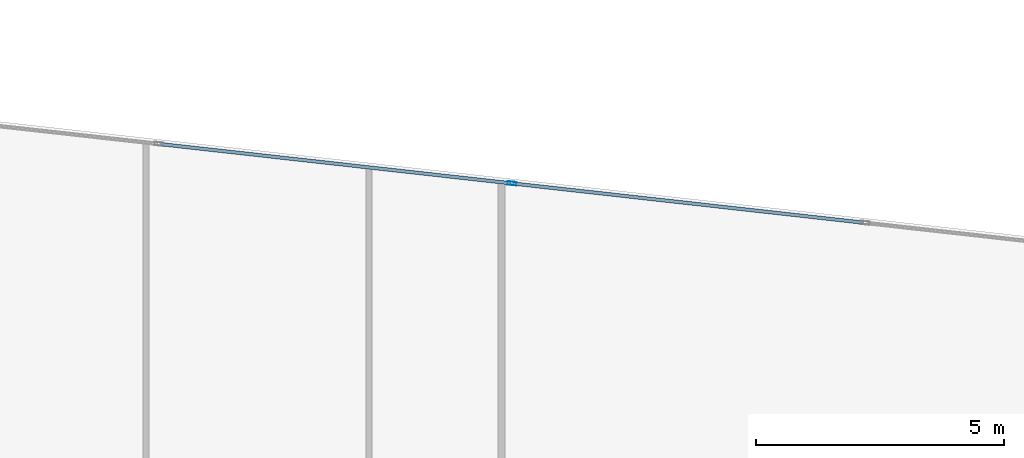
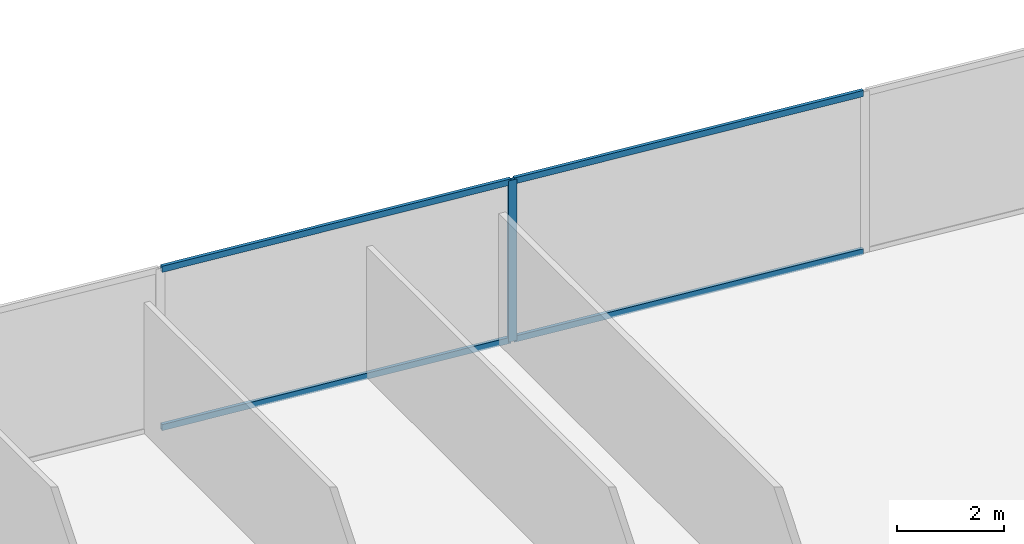
# One storey, part 22 of 29: 5 members, 1 element without a shape of its own.
"""IFC4 building model written with IfcOpenShell, lengths in metres."""

from ifc_helpers import new_model, si_unit, direction, frame, origin, origin_2d, place, context, subcontext, project, spatial, hollow_rectangle, extrude, source, transform, mapped, material, material_profile, profile_set, type_object, type_shapes, element, aggregate, save


model = new_model("IFC4")

# Units and contexts
model_context = context("Model", 3, precision=1e-05, world=origin(), true_north=direction((0.0, 1.0)))
body_context = subcontext(model_context, "Body", "Model", "MODEL_VIEW")
ifc_project = project(units=[si_unit("LENGTHUNIT", "METRE"), si_unit("AREAUNIT", "SQUARE_METRE"), si_unit("VOLUMEUNIT", "CUBIC_METRE"), si_unit("PLANEANGLEUNIT", "RADIAN"), si_unit("MASSUNIT", "GRAM", prefix="KILO")], contexts=[model_context])

# Site, building, storey
site_placement = place(None, origin())
site = spatial("IfcSite", under=ifc_project, at=site_placement, CompositionType="ELEMENT")
building_placement = place(site_placement, origin())
building = spatial("IfcBuilding", under=site, at=building_placement, Name="Krantzveldt Concourse Tower", CompositionType="ELEMENT")
storey_placement = place(building_placement, frame((0.0, 0.0, 60.550048828125)))
storey = spatial("IfcBuildingStorey", under=building, at=storey_placement, Name="L14", CompositionType="ELEMENT", Elevation=60.550048828125)

# Curtain wall, members
ifc_material = material(Name="Anodised aluminium 6063-T6", Category="aluminium")
curtain_wall_type = type_object("IfcCurtainWallType", Name="CW2", PredefinedType="USERDEFINED", material=ifc_material)
curtain_wall_placement = place(storey_placement, origin())
curtain_wall = element("IfcCurtainWall", 1, at=curtain_wall_placement, inside=storey, type_object=curtain_wall_type, Name="CW-L14-F10", ObjectType="UNITISED CURTAIN WALL", PredefinedType="USERDEFINED")
ifc_material_profile_1 = material_profile(ifc_material, hollow_rectangle(XDim=0.070068359375, YDim=0.179931640625, WallThickness=0.0048828125, at=origin_2d()), Name="Anodised aluminium 6063-T6", Category="aluminium")
ifc_profile_set_1 = profile_set([ifc_material_profile_1], Name="Anodised aluminium 6063-T6 - ALU-MULL 180x70x5")
member_type_1 = type_object("IfcMemberType", Name="CW-MUL-180", PredefinedType="MULLION", material=ifc_profile_set_1)
shared_shape_1 = source(origin(), body_context, "Body", "SweptSolid", [
    extrude(hollow_rectangle(XDim=0.070068359375, YDim=0.179931640625, WallThickness=0.0048828125, at=origin_2d()), origin(), (0.0, 0.0, 1.0), 3.669921875),
])
type_shapes(member_type_1, [shared_shape_1])
member_1_placement = place(storey_placement, frame((45.88818359375, 50.66015625, 0.0), z_axis=(0.0, 0.0, 1.0), x_axis=(-0.111035342863, -0.993816458223, 0.0)))
member_1 = element("IfcMember", 2, at=member_1_placement, type_object=member_type_1, Name="CW-Z12 mullion 3", PredefinedType="MULLION", context=body_context, shape_type="MappedRepresentation", body=[
    mapped(shared_shape_1, transform((0.0, 0.0, 0.0), x_axis=(1.0, 0.0, 0.0), y_axis=(0.0, 1.0, 0.0), z_axis=(0.0, 0.0, 1.0), scale=1.0)),
])
ifc_material_profile_2 = material_profile(ifc_material, hollow_rectangle(XDim=0.070068359375, YDim=0.139892578125, WallThickness=0.0048828125, at=origin_2d()), Name="Anodised aluminium 6063-T6", Category="aluminium")
ifc_profile_set_2 = profile_set([ifc_material_profile_2], Name="Anodised aluminium 6063-T6 - ALU-TRAN 140x70x5")
member_type_2 = type_object("IfcMemberType", Name="CW-TRN-150", PredefinedType="USERDEFINED", material=ifc_profile_set_2)
shared_shape_2 = source(origin(), body_context, "Body", "SweptSolid", [
    extrude(hollow_rectangle(XDim=0.070068359375, YDim=0.139892578125, WallThickness=0.0048828125, at=origin_2d()), origin(), (0.0, 0.0, 1.0), 7.0966796875),
])
type_shapes(member_type_2, [shared_shape_2])
member_2_placement = place(storey_placement, frame((52.975830078125, 49.868408203125, 0.034912109375), z_axis=(-0.993818533296, 0.111016768449, 0.0), x_axis=(-0.111016768449, -0.993818533296, 0.0)))
member_2 = element("IfcMember", 3, at=member_2_placement, type_object=member_type_2, Name="CW-Z12 transom 2.1", ObjectType="TRANSOM", PredefinedType="USERDEFINED", context=body_context, shape_type="MappedRepresentation", body=[
    mapped(shared_shape_2, transform((0.0, 0.0, 0.0), x_axis=(1.0, 0.0, 0.0), y_axis=(0.0, 1.0, 0.0), z_axis=(0.0, 0.0, 1.0), scale=1.0)),
])
member_3_placement = place(storey_placement, frame((52.975830078125, 49.868408203125, 3.635009765625), z_axis=(-0.993818533296, 0.111016768449, 0.0), x_axis=(-0.111016768449, -0.993818533296, 0.0)))
member_3 = element("IfcMember", 4, at=member_3_placement, type_object=member_type_2, Name="CW-Z12 transom 2.2", ObjectType="TRANSOM", PredefinedType="USERDEFINED", context=body_context, shape_type="MappedRepresentation", body=[
    mapped(shared_shape_2, transform((0.0, 0.0, 0.0), x_axis=(1.0, 0.0, 0.0), y_axis=(0.0, 1.0, 0.0), z_axis=(0.0, 0.0, 1.0), scale=1.0)),
])
member_4_placement = place(storey_placement, frame((45.853515625, 50.6640625, 0.034912109375), z_axis=(-0.993814737088, 0.111050746722, 0.0), x_axis=(-0.111050746722, -0.993814737088, 0.0)))
member_4 = element("IfcMember", 5, at=member_4_placement, type_object=member_type_2, Name="CW-Z12 transom 3.1", ObjectType="TRANSOM", PredefinedType="USERDEFINED", context=body_context, shape_type="MappedRepresentation", body=[
    mapped(shared_shape_2, transform((0.0, 0.0, 0.0), x_axis=(1.0, 0.0, 0.0), y_axis=(0.0, 1.0, 0.0), z_axis=(0.0, 0.0, 1.0), scale=1.0)),
])
member_5_placement = place(storey_placement, frame((45.853515625, 50.6640625, 3.635009765625), z_axis=(-0.993814737088, 0.111050746722, 0.0), x_axis=(-0.111050746722, -0.993814737088, 0.0)))
member_5 = element("IfcMember", 6, at=member_5_placement, type_object=member_type_2, Name="CW-Z12 transom 3.2", ObjectType="TRANSOM", PredefinedType="USERDEFINED", context=body_context, shape_type="MappedRepresentation", body=[
    mapped(shared_shape_2, transform((0.0, 0.0, 0.0), x_axis=(1.0, 0.0, 0.0), y_axis=(0.0, 1.0, 0.0), z_axis=(0.0, 0.0, 1.0), scale=1.0)),
])
aggregate(curtain_wall, [member_1, member_2, member_3, member_4, member_5])

save(model, "model.ifc")
